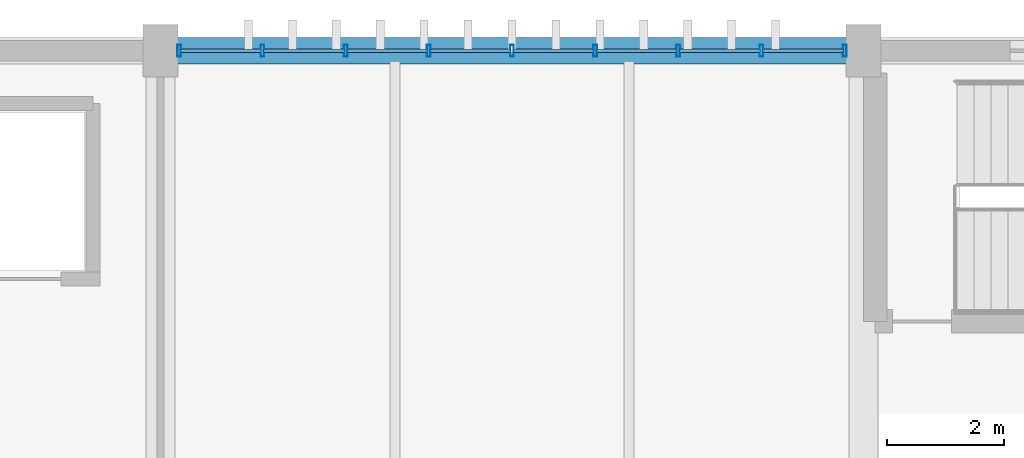
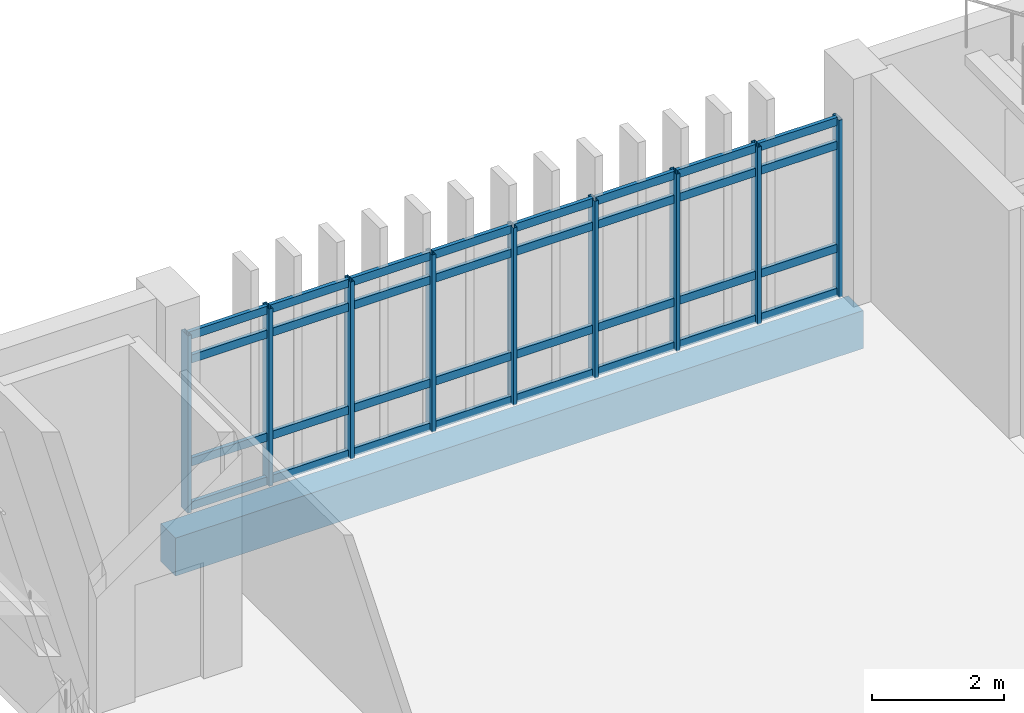
# One storey, part 91 of 161: 41 members, 1 beam, 1 element without a shape of its own.
"""IFC4 building model written with IfcOpenShell, lengths in metres."""

import ifcopenshell
import ifcopenshell.guid

model = None  # the IFC model being written
_history = None  # IfcOwnerHistory: only IFC2X3 demands one
_inside = {}  # id of a spatial element -> (the spatial element, [elements in it])
_under = {}  # id of a project, library or spatial element -> (it, [spatial elements below it])
_declared = {}  # id of a project -> (the project, [libraries it declares])
_typed = {}  # id of a type object -> (the type object, [elements of that type])
_made_of = {}  # id of a material, layer set ... -> (it, [elements and type objects made of it])


def new_model(schema):
    """Start an empty IFC model of exactly this schema.

    Asked for "IFC4X3", IfcOpenShell would pick the latest addendum, in which some entities
    have other attributes; the version numbers below select the first issue.
    IFC2X3 requires an IfcOwnerHistory on every rooted entity: one is made here for all.
    """
    global model, _history
    if schema == "IFC4X3":
        model = ifcopenshell.file(schema_version=(4, 3, 0, 0))
    else:
        model = ifcopenshell.file(schema=schema)
    _inside.clear()
    _under.clear()
    _declared.clear()
    _typed.clear()
    _made_of.clear()
    _history = None
    if model.schema == "IFC2X3":
        org = make("IfcOrganization", Name="unknown")
        user = make(
            "IfcPersonAndOrganization",
            ThePerson=make("IfcPerson", FamilyName="unknown"),
            TheOrganization=org,
        )
        app = make(
            "IfcApplication",
            ApplicationDeveloper=org,
            Version="unknown",
            ApplicationFullName="unknown",
            ApplicationIdentifier="unknown",
        )
        _history = make(
            "IfcOwnerHistory",
            OwningUser=user,
            OwningApplication=app,
            ChangeAction="ADDED",
            CreationDate=0,
        )
    return model


def make(cls, **values):
    """One entity of the class cls with the attributes given. An attribute that is None is left unset."""
    return model.create_entity(
        cls, **{name: value for name, value in values.items() if value is not None}
    )


def rooted(cls, **values):
    """An entity with a GlobalId (a new one), such as an element, a storey or a relation."""
    return make(cls, GlobalId=ifcopenshell.guid.new(), OwnerHistory=_history, **values)


def si_unit(unit_type, name, prefix=None):
    """IfcSIUnit, for example si_unit("LENGTHUNIT", "METRE", prefix="MILLI")."""
    return make("IfcSIUnit", UnitType=unit_type, Prefix=prefix, Name=name)


def assignment(units):
    """IfcUnitAssignment: the units of a project."""
    return None if units is None else make("IfcUnitAssignment", Units=units)


def point(xyz):
    """IfcCartesianPoint."""
    return None if xyz is None else make("IfcCartesianPoint", Coordinates=xyz)


def direction(xyz):
    """IfcDirection."""
    return None if xyz is None else make("IfcDirection", DirectionRatios=xyz)


def frame(location, z_axis=None, x_axis=None):
    """IfcAxis2Placement3D, a coordinate frame: its origin and axes. An axis left out is left unset."""
    return make(
        "IfcAxis2Placement3D",
        Location=point(location),
        Axis=direction(z_axis),
        RefDirection=direction(x_axis),
    )


def frame_2d(location, x_axis=None):
    """IfcAxis2Placement2D, a coordinate frame in the plane: its origin and x axis."""
    return make(
        "IfcAxis2Placement2D", Location=point(location), RefDirection=direction(x_axis)
    )


def origin():
    """The frame at (0, 0, 0) with its axes left unset."""
    return frame((0.0, 0.0, 0.0))


def origin_2d():
    """The frame at (0, 0) in the plane with its x axis left unset."""
    return frame_2d((0.0, 0.0))


def place(relative_to, where):
    """IfcLocalPlacement: puts the frame where relative to a parent placement (None: the world)."""
    return make(
        "IfcLocalPlacement", PlacementRelTo=relative_to, RelativePlacement=where
    )


def context(
    kind, dimensions, precision=None, world=None, true_north=None, identifier=None
):
    """IfcGeometricRepresentationContext, for example the 3D "Model" context."""
    return make(
        "IfcGeometricRepresentationContext",
        ContextIdentifier=identifier,
        ContextType=kind,
        CoordinateSpaceDimension=dimensions,
        Precision=precision,
        WorldCoordinateSystem=world,
        TrueNorth=true_north,
    )


def subcontext(parent, identifier, kind, view, scale=None):
    """IfcGeometricRepresentationSubContext, for example "Body" below "Model"."""
    return make(
        "IfcGeometricRepresentationSubContext",
        ContextIdentifier=identifier,
        ContextType=kind,
        ParentContext=parent,
        TargetScale=scale,
        TargetView=view,
    )


def project(units=None, contexts=None):
    """IfcProject with its units and contexts."""
    return rooted(
        "IfcProject",
        Name="project",
        RepresentationContexts=contexts,
        UnitsInContext=assignment(units),
    )


def spatial(cls, under=None, at=None, **own):
    """A site, building, storey or space (cls), placed at a placement, below another one or the project."""
    s = rooted(cls, ObjectPlacement=at, **own)
    if under is not None:
        _under.setdefault(under.id(), (under, []))[1].append(s)
    return s


def profile(cls, at=None, kind="AREA", **sizes):
    """A parametric profile (cls). Its sizes go by their IFC names, for example OverallWidth=200.0."""
    return make(cls, ProfileType=kind, Position=at, **sizes)


def rectangle(**sizes):
    """IfcRectangleProfileDef."""
    return profile("IfcRectangleProfileDef", **sizes)


def hollow_rectangle(**sizes):
    """IfcRectangleHollowProfileDef."""
    return profile("IfcRectangleHollowProfileDef", **sizes)


def extrude(swept, where, along, depth):
    """IfcExtrudedAreaSolid: the profile swept, set in the frame where, extruded along a direction by depth."""
    return make(
        "IfcExtrudedAreaSolid",
        SweptArea=swept,
        Position=where,
        ExtrudedDirection=direction(along),
        Depth=depth,
    )


def shape(context_of_items, identifier, shape_type, items):
    """IfcShapeRepresentation: the items that make up one representation, for example the "Body"."""
    return make(
        "IfcShapeRepresentation",
        ContextOfItems=context_of_items,
        RepresentationIdentifier=identifier,
        RepresentationType=shape_type,
        Items=items,
    )


def material(Name=None, Category=None):
    """IfcMaterial."""
    return make("IfcMaterial", Name=Name, Category=Category)


def layer(
    of_material, thickness, ventilated=None, Name=None, Category=None, Priority=None
):
    """IfcMaterialLayer: one layer of a wall or slab, of a material (None: an air gap)."""
    return make(
        "IfcMaterialLayer",
        Material=of_material,
        LayerThickness=thickness,
        IsVentilated=ventilated,
        Name=Name,
        Category=Category,
        Priority=Priority,
    )


def layer_set(layers, Name=None):
    """IfcMaterialLayerSet."""
    return make("IfcMaterialLayerSet", MaterialLayers=layers, LayerSetName=Name)


def material_profile(
    of_material, cross_section, Name=None, Category=None, Priority=None
):
    """IfcMaterialProfile: a cross section and its material."""
    return make(
        "IfcMaterialProfile",
        Name=Name,
        Material=of_material,
        Profile=cross_section,
        Priority=Priority,
        Category=Category,
    )


def profile_set(profiles, Name=None, composite=None):
    """IfcMaterialProfileSet."""
    return make(
        "IfcMaterialProfileSet",
        Name=Name,
        MaterialProfiles=profiles,
        CompositeProfile=composite,
    )


def made_of(thing, what):
    """Note that an element or type object is made of a material, layer set ...; save() writes the relation."""
    if what is not None:
        _made_of.setdefault(what.id(), (what, []))[1].append(thing)
    return thing


def type_object(cls, material=None, **own):
    """A type object (cls), such as IfcWallType, which elements share."""
    return made_of(rooted(cls, **own), material)


def element(
    cls,
    number,
    at=None,
    inside=None,
    cuts=None,
    type_object=None,
    material=None,
    context=None,
    identifier="Body",
    shape_type=None,
    held_by="IfcProductDefinitionShape",
    body=None,
    shapes=None,
    **own,
):
    """One element of the class cls, such as IfcWall. Its Tag is "e" and its number.

    at: its placement. inside: the storey or other place that contains it. cuts: it is an
    opening in that element (IfcRelVoidsElement). A single representation is given by context,
    identifier, shape_type and body (its items); several are given by shapes. held_by: the class
    of the entity that holds the representations. save() writes the other relations.
    """
    e = rooted(cls, Tag="e%d" % number, ObjectPlacement=at, **own)
    if body is not None:
        shapes = [shape(context, identifier, shape_type, body)]
    if shapes is not None:
        e.Representation = make(held_by, Representations=shapes)
    if inside is not None:
        _inside.setdefault(inside.id(), (inside, []))[1].append(e)
    if cuts is not None:
        rooted(
            "IfcRelVoidsElement", RelatingBuildingElement=cuts, RelatedOpeningElement=e
        )
    if type_object is not None:
        _typed.setdefault(type_object.id(), (type_object, []))[1].append(e)
    return made_of(e, material)


def aggregate(whole, parts):
    """IfcRelAggregates: a whole, such as a stair, and the parts it consists of."""
    return rooted("IfcRelAggregates", RelatingObject=whole, RelatedObjects=parts)


def save(model, path):
    """Write the relations noted so far, then the file.

    IfcRelAggregates (storeys below a building ...), IfcRelContainedInSpatialStructure (elements
    in a storey), IfcRelDefinesByType, IfcRelAssociatesMaterial and IfcRelDeclares: one each for
    every whole, place, type object, material and project.
    """
    for whole, parts in _under.values():
        aggregate(whole, parts)
    for where, things in _inside.values():
        rooted(
            "IfcRelContainedInSpatialStructure",
            RelatedElements=things,
            RelatingStructure=where,
        )
    for kind, things in _typed.values():
        rooted("IfcRelDefinesByType", RelatedObjects=things, RelatingType=kind)
    for what, things in _made_of.values():
        rooted("IfcRelAssociatesMaterial", RelatedObjects=things, RelatingMaterial=what)
    for by, libraries in _declared.values():
        rooted("IfcRelDeclares", RelatingContext=by, RelatedDefinitions=libraries)
    model.write(path)


model = new_model("IFC4")

# Units and contexts
model_context = context("Model", 3, precision=1e-05, world=origin(), true_north=direction((0.0, 1.0)))
body_context = subcontext(model_context, "Body", "Model", "MODEL_VIEW")
ifc_project = project(units=[si_unit("LENGTHUNIT", "METRE"), si_unit("AREAUNIT", "SQUARE_METRE"), si_unit("VOLUMEUNIT", "CUBIC_METRE"), si_unit("PLANEANGLEUNIT", "RADIAN"), si_unit("MASSUNIT", "GRAM", prefix="KILO")], contexts=[model_context])

# Site, building, storey
site_placement = place(None, origin())
site = spatial("IfcSite", under=ifc_project, at=site_placement, CompositionType="ELEMENT")
building_placement = place(site_placement, origin())
building = spatial("IfcBuilding", under=site, at=building_placement, Name="Mersad Railyard Sports Hall", CompositionType="ELEMENT")
storey_placement = place(building_placement, frame((0.0, 0.0, 4.800048828125)))
storey = spatial("IfcBuildingStorey", under=building, at=storey_placement, Name="L01", CompositionType="ELEMENT", Elevation=4.800048828125)

# Curtain wall, members
ifc_material_1 = material(Name="Aluminium 6063-T6", Category="aluminium")
ifc_layer = layer(ifc_material_1, 0.199951171875)
ifc_layer_set = layer_set([ifc_layer], Name="Aluminium 6063-T6")
curtain_wall_type = type_object("IfcCurtainWallType", Name="ARC-CW-CW34", PredefinedType="USERDEFINED", material=ifc_layer_set)
curtain_wall_placement = place(storey_placement, origin())
curtain_wall = element("IfcCurtainWall", 1, at=curtain_wall_placement, inside=storey, type_object=curtain_wall_type, Name="Curtain wall CW34-0097", ObjectType="CURTAIN WALL", PredefinedType="USERDEFINED")
ifc_material_profile_1 = material_profile(ifc_material_1, hollow_rectangle(XDim=0.06494140625, YDim=0.199951171875, WallThickness=0.0048828125, at=origin_2d()), Name="AL MULLION 65x200x5")
ifc_profile_set_1 = profile_set([ifc_material_profile_1], Name="Aluminium 6063-T6")
member_type_1 = type_object("IfcMemberType", Name="ARC-CW-MUL02", PredefinedType="MULLION", material=ifc_profile_set_1)
member_1_placement = place(storey_placement, frame((79.320068359375, 115.0, -0.02001953125), z_axis=(0.0, 0.0, 1.0), x_axis=(1.0, 0.0, 0.0)))
member_1 = element("IfcMember", 2, at=member_1_placement, type_object=member_type_1, Name="CW34 Mullion 1", PredefinedType="MULLION", context=body_context, shape_type="SweptSolid", body=[
    extrude(hollow_rectangle(XDim=0.06494140625, YDim=0.199951171875, WallThickness=0.0048828125, at=origin_2d()), origin(), (0.0, 0.0, 1.0), 3.27001953125),
])
member_2_placement = place(storey_placement, frame((80.739990234375, 115.0, -0.02001953125), z_axis=(0.0, 0.0, 1.0), x_axis=(1.0, 0.0, 0.0)))
member_2 = element("IfcMember", 3, at=member_2_placement, type_object=member_type_1, Name="CW34 Mullion 2", PredefinedType="MULLION", context=body_context, shape_type="SweptSolid", body=[
    extrude(hollow_rectangle(XDim=0.06494140625, YDim=0.199951171875, WallThickness=0.0048828125, at=origin_2d()), origin(), (0.0, 0.0, 1.0), 3.27001953125),
])
member_3_placement = place(storey_placement, frame((82.159912109375, 115.0, -0.02001953125), z_axis=(0.0, 0.0, 1.0), x_axis=(1.0, 0.0, 0.0)))
member_3 = element("IfcMember", 4, at=member_3_placement, type_object=member_type_1, Name="CW34 Mullion 3", PredefinedType="MULLION", context=body_context, shape_type="SweptSolid", body=[
    extrude(hollow_rectangle(XDim=0.06494140625, YDim=0.199951171875, WallThickness=0.0048828125, at=origin_2d()), origin(), (0.0, 0.0, 1.0), 3.27001953125),
])
member_4_placement = place(storey_placement, frame((83.580078125, 115.0, -0.02001953125), z_axis=(0.0, 0.0, 1.0), x_axis=(1.0, 0.0, 0.0)))
member_4 = element("IfcMember", 5, at=member_4_placement, type_object=member_type_1, Name="CW34 Mullion 4", PredefinedType="MULLION", context=body_context, shape_type="SweptSolid", body=[
    extrude(hollow_rectangle(XDim=0.06494140625, YDim=0.199951171875, WallThickness=0.0048828125, at=origin_2d()), origin(), (0.0, 0.0, 1.0), 3.27001953125),
])
member_5_placement = place(storey_placement, frame((85.0, 115.0, -0.02001953125), z_axis=(0.0, 0.0, 1.0), x_axis=(1.0, 0.0, 0.0)))
member_5 = element("IfcMember", 6, at=member_5_placement, type_object=member_type_1, Name="CW34 Mullion 5", PredefinedType="MULLION", context=body_context, shape_type="SweptSolid", body=[
    extrude(hollow_rectangle(XDim=0.06494140625, YDim=0.199951171875, WallThickness=0.0048828125, at=origin_2d()), origin(), (0.0, 0.0, 1.0), 3.27001953125),
])
member_6_placement = place(storey_placement, frame((86.419921875, 115.0, -0.02001953125), z_axis=(0.0, 0.0, 1.0), x_axis=(1.0, 0.0, 0.0)))
member_6 = element("IfcMember", 7, at=member_6_placement, type_object=member_type_1, Name="CW34 Mullion 6", PredefinedType="MULLION", context=body_context, shape_type="SweptSolid", body=[
    extrude(hollow_rectangle(XDim=0.06494140625, YDim=0.199951171875, WallThickness=0.0048828125, at=origin_2d()), origin(), (0.0, 0.0, 1.0), 3.27001953125),
])
member_7_placement = place(storey_placement, frame((87.840087890625, 115.0, -0.02001953125), z_axis=(0.0, 0.0, 1.0), x_axis=(1.0, 0.0, 0.0)))
member_7 = element("IfcMember", 8, at=member_7_placement, type_object=member_type_1, Name="CW34 Mullion 7", PredefinedType="MULLION", context=body_context, shape_type="SweptSolid", body=[
    extrude(hollow_rectangle(XDim=0.06494140625, YDim=0.199951171875, WallThickness=0.0048828125, at=origin_2d()), origin(), (0.0, 0.0, 1.0), 3.27001953125),
])
member_8_placement = place(storey_placement, frame((89.260009765625, 115.0, -0.02001953125), z_axis=(0.0, 0.0, 1.0), x_axis=(1.0, 0.0, 0.0)))
member_8 = element("IfcMember", 9, at=member_8_placement, type_object=member_type_1, Name="CW34 Mullion 8", PredefinedType="MULLION", context=body_context, shape_type="SweptSolid", body=[
    extrude(hollow_rectangle(XDim=0.06494140625, YDim=0.199951171875, WallThickness=0.0048828125, at=origin_2d()), origin(), (0.0, 0.0, 1.0), 3.27001953125),
])
member_9_placement = place(storey_placement, frame((90.679931640625, 115.0, -0.02001953125), z_axis=(0.0, 0.0, 1.0), x_axis=(1.0, 0.0, 0.0)))
member_9 = element("IfcMember", 10, at=member_9_placement, type_object=member_type_1, Name="CW34 Mullion 9", PredefinedType="MULLION", context=body_context, shape_type="SweptSolid", body=[
    extrude(hollow_rectangle(XDim=0.06494140625, YDim=0.199951171875, WallThickness=0.0048828125, at=origin_2d()), origin(), (0.0, 0.0, 1.0), 3.27001953125),
])
ifc_material_profile_2 = material_profile(ifc_material_1, hollow_rectangle(XDim=0.06494140625, YDim=0.14990234375, WallThickness=0.00439453125, at=origin_2d()), Name="AL TRANSOM 65x150x4.5")
ifc_profile_set_2 = profile_set([ifc_material_profile_2], Name="Aluminium 6063-T6")
member_type_2 = type_object("IfcMemberType", Name="ARC-CW-TRN02", PredefinedType="USERDEFINED", material=ifc_profile_set_2)
member_10_placement = place(storey_placement, frame((79.340087890625, 115.0, 0.0400390625), z_axis=(1.0, 0.0, 0.0), x_axis=(0.0, 1.0, 0.0)))
member_10 = element("IfcMember", 11, at=member_10_placement, type_object=member_type_2, Name="CW34 Transom 1-1", ObjectType="TRANSOM", PredefinedType="USERDEFINED", context=body_context, shape_type="SweptSolid", body=[
    extrude(hollow_rectangle(XDim=0.06494140625, YDim=0.14990234375, WallThickness=0.00439453125, at=origin_2d()), origin(), (0.0, 0.0, 1.0), 1.3798828125),
])
member_11_placement = place(storey_placement, frame((80.760009765625, 115.0, 0.0400390625), z_axis=(1.0, 0.0, 0.0), x_axis=(0.0, 1.0, 0.0)))
member_11 = element("IfcMember", 12, at=member_11_placement, type_object=member_type_2, Name="CW34 Transom 1-2", ObjectType="TRANSOM", PredefinedType="USERDEFINED", context=body_context, shape_type="SweptSolid", body=[
    extrude(hollow_rectangle(XDim=0.06494140625, YDim=0.14990234375, WallThickness=0.00439453125, at=origin_2d()), origin(), (0.0, 0.0, 1.0), 1.3798828125),
])
member_12_placement = place(storey_placement, frame((82.179931640625, 115.0, 0.0400390625), z_axis=(1.0, 0.0, 0.0), x_axis=(0.0, 1.0, 0.0)))
member_12 = element("IfcMember", 13, at=member_12_placement, type_object=member_type_2, Name="CW34 Transom 1-3", ObjectType="TRANSOM", PredefinedType="USERDEFINED", context=body_context, shape_type="SweptSolid", body=[
    extrude(hollow_rectangle(XDim=0.06494140625, YDim=0.14990234375, WallThickness=0.00439453125, at=origin_2d()), origin(), (0.0, 0.0, 1.0), 1.380126953125),
])
member_13_placement = place(storey_placement, frame((83.60009765625, 115.0, 0.0400390625), z_axis=(1.0, 0.0, 0.0), x_axis=(0.0, 1.0, 0.0)))
member_13 = element("IfcMember", 14, at=member_13_placement, type_object=member_type_2, Name="CW34 Transom 1-4", ObjectType="TRANSOM", PredefinedType="USERDEFINED", context=body_context, shape_type="SweptSolid", body=[
    extrude(hollow_rectangle(XDim=0.06494140625, YDim=0.14990234375, WallThickness=0.00439453125, at=origin_2d()), origin(), (0.0, 0.0, 1.0), 1.3798828125),
])
member_14_placement = place(storey_placement, frame((85.02001953125, 115.0, 0.0400390625), z_axis=(1.0, 0.0, 0.0), x_axis=(0.0, 1.0, 0.0)))
member_14 = element("IfcMember", 15, at=member_14_placement, type_object=member_type_2, Name="CW34 Transom 1-5", ObjectType="TRANSOM", PredefinedType="USERDEFINED", context=body_context, shape_type="SweptSolid", body=[
    extrude(hollow_rectangle(XDim=0.06494140625, YDim=0.14990234375, WallThickness=0.00439453125, at=origin_2d()), origin(), (0.0, 0.0, 1.0), 1.3798828125),
])
member_15_placement = place(storey_placement, frame((86.43994140625, 115.0, 0.0400390625), z_axis=(1.0, 0.0, 0.0), x_axis=(0.0, 1.0, 0.0)))
member_15 = element("IfcMember", 16, at=member_15_placement, type_object=member_type_2, Name="CW34 Transom 1-6", ObjectType="TRANSOM", PredefinedType="USERDEFINED", context=body_context, shape_type="SweptSolid", body=[
    extrude(hollow_rectangle(XDim=0.06494140625, YDim=0.14990234375, WallThickness=0.00439453125, at=origin_2d()), origin(), (0.0, 0.0, 1.0), 1.380126953125),
])
member_16_placement = place(storey_placement, frame((87.860107421875, 115.0, 0.0400390625), z_axis=(1.0, 0.0, 0.0), x_axis=(0.0, 1.0, 0.0)))
member_16 = element("IfcMember", 17, at=member_16_placement, type_object=member_type_2, Name="CW34 Transom 1-7", ObjectType="TRANSOM", PredefinedType="USERDEFINED", context=body_context, shape_type="SweptSolid", body=[
    extrude(hollow_rectangle(XDim=0.06494140625, YDim=0.14990234375, WallThickness=0.00439453125, at=origin_2d()), origin(), (0.0, 0.0, 1.0), 1.3798828125),
])
member_17_placement = place(storey_placement, frame((89.280029296875, 115.0, 0.0400390625), z_axis=(1.0, 0.0, 0.0), x_axis=(0.0, 1.0, 0.0)))
member_17 = element("IfcMember", 18, at=member_17_placement, type_object=member_type_2, Name="CW34 Transom 1-8", ObjectType="TRANSOM", PredefinedType="USERDEFINED", context=body_context, shape_type="SweptSolid", body=[
    extrude(hollow_rectangle(XDim=0.06494140625, YDim=0.14990234375, WallThickness=0.00439453125, at=origin_2d()), origin(), (0.0, 0.0, 1.0), 1.3798828125),
])
member_18_placement = place(storey_placement, frame((79.340087890625, 115.0, 0.849853515625), z_axis=(1.0, 0.0, 0.0), x_axis=(0.0, 1.0, 0.0)))
member_18 = element("IfcMember", 19, at=member_18_placement, type_object=member_type_2, Name="CW34 Transom 2-1", ObjectType="TRANSOM", PredefinedType="USERDEFINED", context=body_context, shape_type="SweptSolid", body=[
    extrude(hollow_rectangle(XDim=0.06494140625, YDim=0.14990234375, WallThickness=0.00439453125, at=origin_2d()), origin(), (0.0, 0.0, 1.0), 1.3798828125),
])
member_19_placement = place(storey_placement, frame((80.760009765625, 115.0, 0.849853515625), z_axis=(1.0, 0.0, 0.0), x_axis=(0.0, 1.0, 0.0)))
member_19 = element("IfcMember", 20, at=member_19_placement, type_object=member_type_2, Name="CW34 Transom 2-2", ObjectType="TRANSOM", PredefinedType="USERDEFINED", context=body_context, shape_type="SweptSolid", body=[
    extrude(hollow_rectangle(XDim=0.06494140625, YDim=0.14990234375, WallThickness=0.00439453125, at=origin_2d()), origin(), (0.0, 0.0, 1.0), 1.3798828125),
])
member_20_placement = place(storey_placement, frame((82.179931640625, 115.0, 0.849853515625), z_axis=(1.0, 0.0, 0.0), x_axis=(0.0, 1.0, 0.0)))
member_20 = element("IfcMember", 21, at=member_20_placement, type_object=member_type_2, Name="CW34 Transom 2-3", ObjectType="TRANSOM", PredefinedType="USERDEFINED", context=body_context, shape_type="SweptSolid", body=[
    extrude(hollow_rectangle(XDim=0.06494140625, YDim=0.14990234375, WallThickness=0.00439453125, at=origin_2d()), origin(), (0.0, 0.0, 1.0), 1.380126953125),
])
member_21_placement = place(storey_placement, frame((83.60009765625, 115.0, 0.849853515625), z_axis=(1.0, 0.0, 0.0), x_axis=(0.0, 1.0, 0.0)))
member_21 = element("IfcMember", 22, at=member_21_placement, type_object=member_type_2, Name="CW34 Transom 2-4", ObjectType="TRANSOM", PredefinedType="USERDEFINED", context=body_context, shape_type="SweptSolid", body=[
    extrude(hollow_rectangle(XDim=0.06494140625, YDim=0.14990234375, WallThickness=0.00439453125, at=origin_2d()), origin(), (0.0, 0.0, 1.0), 1.3798828125),
])
member_22_placement = place(storey_placement, frame((85.02001953125, 115.0, 0.849853515625), z_axis=(1.0, 0.0, 0.0), x_axis=(0.0, 1.0, 0.0)))
member_22 = element("IfcMember", 23, at=member_22_placement, type_object=member_type_2, Name="CW34 Transom 2-5", ObjectType="TRANSOM", PredefinedType="USERDEFINED", context=body_context, shape_type="SweptSolid", body=[
    extrude(hollow_rectangle(XDim=0.06494140625, YDim=0.14990234375, WallThickness=0.00439453125, at=origin_2d()), origin(), (0.0, 0.0, 1.0), 1.3798828125),
])
member_23_placement = place(storey_placement, frame((86.43994140625, 115.0, 0.849853515625), z_axis=(1.0, 0.0, 0.0), x_axis=(0.0, 1.0, 0.0)))
member_23 = element("IfcMember", 24, at=member_23_placement, type_object=member_type_2, Name="CW34 Transom 2-6", ObjectType="TRANSOM", PredefinedType="USERDEFINED", context=body_context, shape_type="SweptSolid", body=[
    extrude(hollow_rectangle(XDim=0.06494140625, YDim=0.14990234375, WallThickness=0.00439453125, at=origin_2d()), origin(), (0.0, 0.0, 1.0), 1.380126953125),
])
member_24_placement = place(storey_placement, frame((87.860107421875, 115.0, 0.849853515625), z_axis=(1.0, 0.0, 0.0), x_axis=(0.0, 1.0, 0.0)))
member_24 = element("IfcMember", 25, at=member_24_placement, type_object=member_type_2, Name="CW34 Transom 2-7", ObjectType="TRANSOM", PredefinedType="USERDEFINED", context=body_context, shape_type="SweptSolid", body=[
    extrude(hollow_rectangle(XDim=0.06494140625, YDim=0.14990234375, WallThickness=0.00439453125, at=origin_2d()), origin(), (0.0, 0.0, 1.0), 1.3798828125),
])
member_25_placement = place(storey_placement, frame((89.280029296875, 115.0, 0.849853515625), z_axis=(1.0, 0.0, 0.0), x_axis=(0.0, 1.0, 0.0)))
member_25 = element("IfcMember", 26, at=member_25_placement, type_object=member_type_2, Name="CW34 Transom 2-8", ObjectType="TRANSOM", PredefinedType="USERDEFINED", context=body_context, shape_type="SweptSolid", body=[
    extrude(hollow_rectangle(XDim=0.06494140625, YDim=0.14990234375, WallThickness=0.00439453125, at=origin_2d()), origin(), (0.0, 0.0, 1.0), 1.3798828125),
])
member_26_placement = place(storey_placement, frame((79.340087890625, 115.0, 2.75), z_axis=(1.0, 0.0, 0.0), x_axis=(0.0, 1.0, 0.0)))
member_26 = element("IfcMember", 27, at=member_26_placement, type_object=member_type_2, Name="CW34 Transom 3-1", ObjectType="TRANSOM", PredefinedType="USERDEFINED", context=body_context, shape_type="SweptSolid", body=[
    extrude(hollow_rectangle(XDim=0.06494140625, YDim=0.14990234375, WallThickness=0.00439453125, at=origin_2d()), origin(), (0.0, 0.0, 1.0), 1.3798828125),
])
member_27_placement = place(storey_placement, frame((80.760009765625, 115.0, 2.75), z_axis=(1.0, 0.0, 0.0), x_axis=(0.0, 1.0, 0.0)))
member_27 = element("IfcMember", 28, at=member_27_placement, type_object=member_type_2, Name="CW34 Transom 3-2", ObjectType="TRANSOM", PredefinedType="USERDEFINED", context=body_context, shape_type="SweptSolid", body=[
    extrude(hollow_rectangle(XDim=0.06494140625, YDim=0.14990234375, WallThickness=0.00439453125, at=origin_2d()), origin(), (0.0, 0.0, 1.0), 1.3798828125),
])
member_28_placement = place(storey_placement, frame((82.179931640625, 115.0, 2.75), z_axis=(1.0, 0.0, 0.0), x_axis=(0.0, 1.0, 0.0)))
member_28 = element("IfcMember", 29, at=member_28_placement, type_object=member_type_2, Name="CW34 Transom 3-3", ObjectType="TRANSOM", PredefinedType="USERDEFINED", context=body_context, shape_type="SweptSolid", body=[
    extrude(hollow_rectangle(XDim=0.06494140625, YDim=0.14990234375, WallThickness=0.00439453125, at=origin_2d()), origin(), (0.0, 0.0, 1.0), 1.380126953125),
])
member_29_placement = place(storey_placement, frame((83.60009765625, 115.0, 2.75), z_axis=(1.0, 0.0, 0.0), x_axis=(0.0, 1.0, 0.0)))
member_29 = element("IfcMember", 30, at=member_29_placement, type_object=member_type_2, Name="CW34 Transom 3-4", ObjectType="TRANSOM", PredefinedType="USERDEFINED", context=body_context, shape_type="SweptSolid", body=[
    extrude(hollow_rectangle(XDim=0.06494140625, YDim=0.14990234375, WallThickness=0.00439453125, at=origin_2d()), origin(), (0.0, 0.0, 1.0), 1.3798828125),
])
member_30_placement = place(storey_placement, frame((85.02001953125, 115.0, 2.75), z_axis=(1.0, 0.0, 0.0), x_axis=(0.0, 1.0, 0.0)))
member_30 = element("IfcMember", 31, at=member_30_placement, type_object=member_type_2, Name="CW34 Transom 3-5", ObjectType="TRANSOM", PredefinedType="USERDEFINED", context=body_context, shape_type="SweptSolid", body=[
    extrude(hollow_rectangle(XDim=0.06494140625, YDim=0.14990234375, WallThickness=0.00439453125, at=origin_2d()), origin(), (0.0, 0.0, 1.0), 1.3798828125),
])
member_31_placement = place(storey_placement, frame((86.43994140625, 115.0, 2.75), z_axis=(1.0, 0.0, 0.0), x_axis=(0.0, 1.0, 0.0)))
member_31 = element("IfcMember", 32, at=member_31_placement, type_object=member_type_2, Name="CW34 Transom 3-6", ObjectType="TRANSOM", PredefinedType="USERDEFINED", context=body_context, shape_type="SweptSolid", body=[
    extrude(hollow_rectangle(XDim=0.06494140625, YDim=0.14990234375, WallThickness=0.00439453125, at=origin_2d()), origin(), (0.0, 0.0, 1.0), 1.380126953125),
])
member_32_placement = place(storey_placement, frame((87.860107421875, 115.0, 2.75), z_axis=(1.0, 0.0, 0.0), x_axis=(0.0, 1.0, 0.0)))
member_32 = element("IfcMember", 33, at=member_32_placement, type_object=member_type_2, Name="CW34 Transom 3-7", ObjectType="TRANSOM", PredefinedType="USERDEFINED", context=body_context, shape_type="SweptSolid", body=[
    extrude(hollow_rectangle(XDim=0.06494140625, YDim=0.14990234375, WallThickness=0.00439453125, at=origin_2d()), origin(), (0.0, 0.0, 1.0), 1.3798828125),
])
member_33_placement = place(storey_placement, frame((89.280029296875, 115.0, 2.75), z_axis=(1.0, 0.0, 0.0), x_axis=(0.0, 1.0, 0.0)))
member_33 = element("IfcMember", 34, at=member_33_placement, type_object=member_type_2, Name="CW34 Transom 3-8", ObjectType="TRANSOM", PredefinedType="USERDEFINED", context=body_context, shape_type="SweptSolid", body=[
    extrude(hollow_rectangle(XDim=0.06494140625, YDim=0.14990234375, WallThickness=0.00439453125, at=origin_2d()), origin(), (0.0, 0.0, 1.0), 1.3798828125),
])
member_34_placement = place(storey_placement, frame((79.340087890625, 115.0, 3.18994140625), z_axis=(1.0, 0.0, 0.0), x_axis=(0.0, 1.0, 0.0)))
member_34 = element("IfcMember", 35, at=member_34_placement, type_object=member_type_2, Name="CW34 Transom 4-1", ObjectType="TRANSOM", PredefinedType="USERDEFINED", context=body_context, shape_type="SweptSolid", body=[
    extrude(hollow_rectangle(XDim=0.06494140625, YDim=0.14990234375, WallThickness=0.00439453125, at=origin_2d()), origin(), (0.0, 0.0, 1.0), 1.3798828125),
])
member_35_placement = place(storey_placement, frame((80.760009765625, 115.0, 3.18994140625), z_axis=(1.0, 0.0, 0.0), x_axis=(0.0, 1.0, 0.0)))
member_35 = element("IfcMember", 36, at=member_35_placement, type_object=member_type_2, Name="CW34 Transom 4-2", ObjectType="TRANSOM", PredefinedType="USERDEFINED", context=body_context, shape_type="SweptSolid", body=[
    extrude(hollow_rectangle(XDim=0.06494140625, YDim=0.14990234375, WallThickness=0.00439453125, at=origin_2d()), origin(), (0.0, 0.0, 1.0), 1.3798828125),
])
member_36_placement = place(storey_placement, frame((82.179931640625, 115.0, 3.18994140625), z_axis=(1.0, 0.0, 0.0), x_axis=(0.0, 1.0, 0.0)))
member_36 = element("IfcMember", 37, at=member_36_placement, type_object=member_type_2, Name="CW34 Transom 4-3", ObjectType="TRANSOM", PredefinedType="USERDEFINED", context=body_context, shape_type="SweptSolid", body=[
    extrude(hollow_rectangle(XDim=0.06494140625, YDim=0.14990234375, WallThickness=0.00439453125, at=origin_2d()), origin(), (0.0, 0.0, 1.0), 1.380126953125),
])
member_37_placement = place(storey_placement, frame((83.60009765625, 115.0, 3.18994140625), z_axis=(1.0, 0.0, 0.0), x_axis=(0.0, 1.0, 0.0)))
member_37 = element("IfcMember", 38, at=member_37_placement, type_object=member_type_2, Name="CW34 Transom 4-4", ObjectType="TRANSOM", PredefinedType="USERDEFINED", context=body_context, shape_type="SweptSolid", body=[
    extrude(hollow_rectangle(XDim=0.06494140625, YDim=0.14990234375, WallThickness=0.00439453125, at=origin_2d()), origin(), (0.0, 0.0, 1.0), 1.3798828125),
])
member_38_placement = place(storey_placement, frame((85.02001953125, 115.0, 3.18994140625), z_axis=(1.0, 0.0, 0.0), x_axis=(0.0, 1.0, 0.0)))
member_38 = element("IfcMember", 39, at=member_38_placement, type_object=member_type_2, Name="CW34 Transom 4-5", ObjectType="TRANSOM", PredefinedType="USERDEFINED", context=body_context, shape_type="SweptSolid", body=[
    extrude(hollow_rectangle(XDim=0.06494140625, YDim=0.14990234375, WallThickness=0.00439453125, at=origin_2d()), origin(), (0.0, 0.0, 1.0), 1.3798828125),
])
member_39_placement = place(storey_placement, frame((86.43994140625, 115.0, 3.18994140625), z_axis=(1.0, 0.0, 0.0), x_axis=(0.0, 1.0, 0.0)))
member_39 = element("IfcMember", 40, at=member_39_placement, type_object=member_type_2, Name="CW34 Transom 4-6", ObjectType="TRANSOM", PredefinedType="USERDEFINED", context=body_context, shape_type="SweptSolid", body=[
    extrude(hollow_rectangle(XDim=0.06494140625, YDim=0.14990234375, WallThickness=0.00439453125, at=origin_2d()), origin(), (0.0, 0.0, 1.0), 1.380126953125),
])
member_40_placement = place(storey_placement, frame((87.860107421875, 115.0, 3.18994140625), z_axis=(1.0, 0.0, 0.0), x_axis=(0.0, 1.0, 0.0)))
member_40 = element("IfcMember", 41, at=member_40_placement, type_object=member_type_2, Name="CW34 Transom 4-7", ObjectType="TRANSOM", PredefinedType="USERDEFINED", context=body_context, shape_type="SweptSolid", body=[
    extrude(hollow_rectangle(XDim=0.06494140625, YDim=0.14990234375, WallThickness=0.00439453125, at=origin_2d()), origin(), (0.0, 0.0, 1.0), 1.3798828125),
])
member_41_placement = place(storey_placement, frame((89.280029296875, 115.0, 3.18994140625), z_axis=(1.0, 0.0, 0.0), x_axis=(0.0, 1.0, 0.0)))
member_41 = element("IfcMember", 42, at=member_41_placement, type_object=member_type_2, Name="CW34 Transom 4-8", ObjectType="TRANSOM", PredefinedType="USERDEFINED", context=body_context, shape_type="SweptSolid", body=[
    extrude(hollow_rectangle(XDim=0.06494140625, YDim=0.14990234375, WallThickness=0.00439453125, at=origin_2d()), origin(), (0.0, 0.0, 1.0), 1.3798828125),
])
aggregate(curtain_wall, [member_1, member_2, member_3, member_4, member_5, member_6, member_7, member_8, member_9, member_10, member_11, member_12, member_13, member_14, member_15, member_16, member_17, member_18, member_19, member_20, member_21, member_22, member_23, member_24, member_25, member_26, member_27, member_28, member_29, member_30, member_31, member_32, member_33, member_34, member_35, member_36, member_37, member_38, member_39, member_40, member_41])

# Beam
ifc_material_2 = material(Name="Architectural concrete C40/50", Category="concrete")
ifc_material_profile_3 = material_profile(ifc_material_2, rectangle(XDim=0.449951171875, YDim=0.699951171875, at=origin_2d()), Name="RC 450x700")
ifc_profile_set_3 = profile_set([ifc_material_profile_3], Name="Architectural concrete C40/50")
beam_type = type_object("IfcBeamType", Name="STR-BM-SP01", PredefinedType="SPANDREL", material=ifc_profile_set_3)
beam_placement = place(storey_placement, frame((79.0, 115.0, -0.650146484375), z_axis=(1.0, 0.0, 0.0), x_axis=(0.0, 1.0, 0.0)))
element("IfcBeam", 43, at=beam_placement, inside=storey, type_object=beam_type, Name="Beam SP01-0951", PredefinedType="SPANDREL", context=body_context, shape_type="SweptSolid", body=[
    extrude(rectangle(XDim=0.449951171875, YDim=0.699951171875, at=origin_2d()), origin(), (0.0, 0.0, 1.0), 12.0),
])

save(model, "model.ifc")
